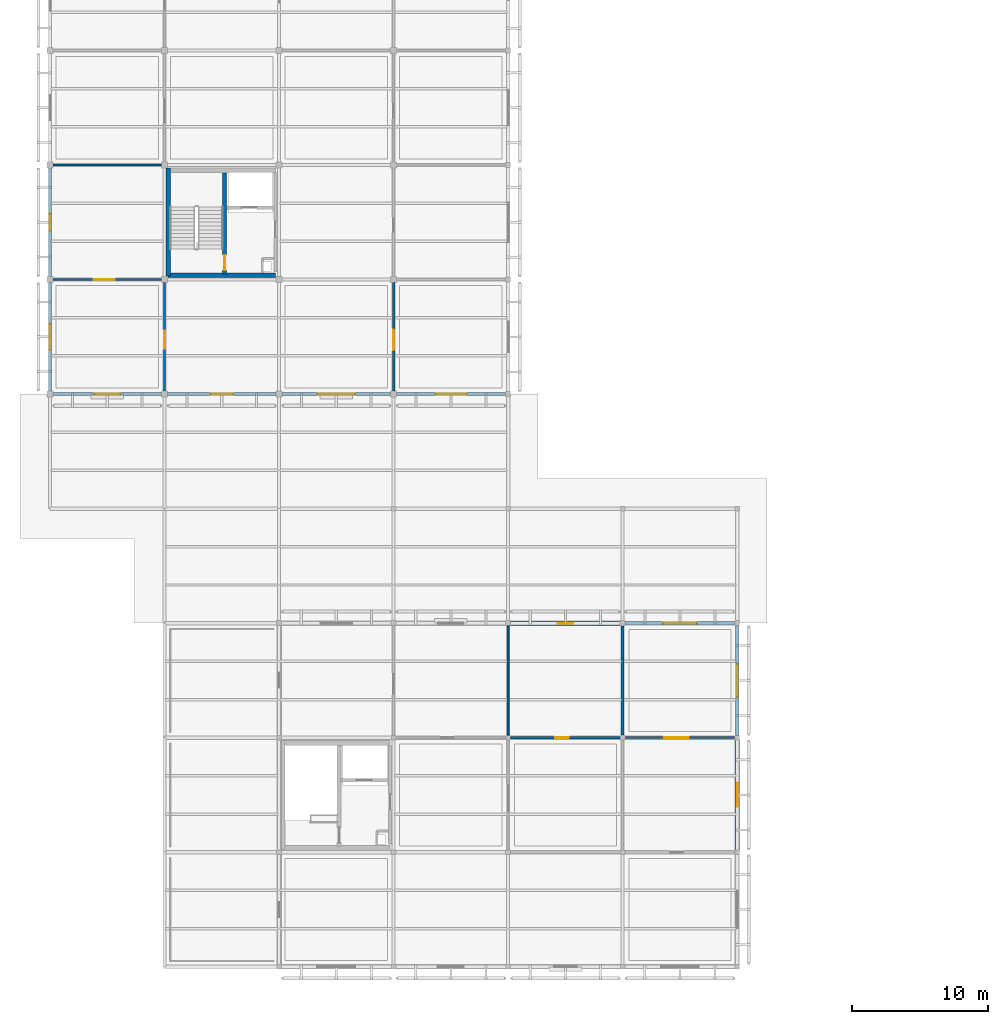
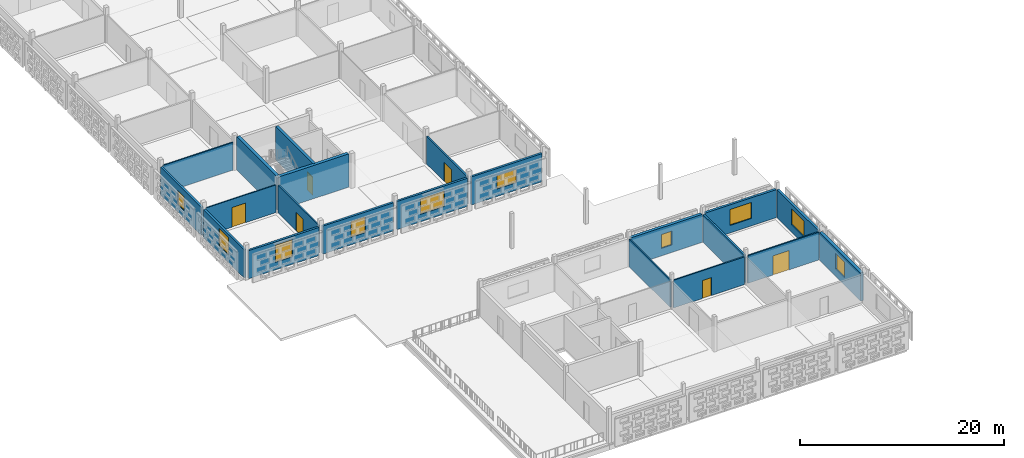
# One storey, part 70 of 103: 21 walls, 10 windows, 6 doors, 16 openings.
"""IFC4 building model written with IfcOpenShell, lengths in metres."""

from ifc_helpers import new_model, si_unit, direction, frame, frame_2d, origin, place, context, subcontext, project, spatial, rectangle, extrude, material, layer, layer_set, type_object, element, fill, save


model = new_model("IFC4")

# Units and contexts
model_context = context("Model", 3, precision=1e-05, world=origin(), true_north=direction((0.0, 1.0)))
body_context = subcontext(model_context, "Body", "Model", "MODEL_VIEW")
ifc_project = project(units=[si_unit("LENGTHUNIT", "METRE"), si_unit("AREAUNIT", "SQUARE_METRE"), si_unit("VOLUMEUNIT", "CUBIC_METRE"), si_unit("PLANEANGLEUNIT", "RADIAN"), si_unit("MASSUNIT", "GRAM", prefix="KILO")], contexts=[model_context])

# Site, building, storey
site_placement = place(None, origin())
site = spatial("IfcSite", under=ifc_project, at=site_placement, CompositionType="ELEMENT")
building_placement = place(site_placement, origin())
building = spatial("IfcBuilding", under=site, at=building_placement, Name="Varnapada Polytechnic", CompositionType="ELEMENT")
storey_placement = place(building_placement, frame((0.0, 0.0, 18.0)))
storey = spatial("IfcBuildingStorey", under=building, at=storey_placement, Name="L04", CompositionType="ELEMENT", Elevation=18.0)

# Wall, opening, door
ifc_material_1 = material(Name="Autoclaved Aerated Concrete Block AAC-600", Category="concrete")
ifc_layer_1 = layer(ifc_material_1, 0.14990234375)
ifc_layer_set_1 = layer_set([ifc_layer_1], Name="Autoclaved Aerated Concrete Block AAC-600")
wall_type_1 = type_object("IfcWallType", Name="Interior Wall IW-02", PredefinedType="PARTITIONING", material=ifc_layer_set_1)
wall_1_placement = place(storey_placement, frame((8.39990234375, 50.6298828125, 0.0), z_axis=(0.0, 0.0, 1.0), x_axis=(0.0, 1.0, 0.0)))
wall_1 = element("IfcWall", 1, at=wall_1_placement, inside=storey, type_object=wall_type_1, Name="L04 interior partition IW-L04-00-06-V", PredefinedType="PARTITIONING", context=body_context, shape_type="SweptSolid", body=[
    extrude(rectangle(XDim=7.940185546875, YDim=0.14990234375, at=frame_2d((3.97021484375, 0.0))), origin(), (0.0, 0.0, 1.0), 3.320068359375),
])
opening_1_placement = place(wall_1_placement, frame((3.10009765625, 0.0, 0.0)))
opening_1 = element("IfcOpeningElement", 2, at=opening_1_placement, cuts=wall_1, Name="Opening D-1267", PredefinedType="OPENING", context=body_context, shape_type="SweptSolid", body=[
    extrude(rectangle(XDim=1.300048828125, YDim=2.199951171875, at=frame_2d((0.64990234375, 1.10009765625))), frame((0.0, 0.0849609375, 0.0), z_axis=(0.0, -1.0, 0.0), x_axis=(1.0, 0.0, 0.0)), (0.0, 0.0, 1.0), 0.169921875),
])
ifc_material_2 = material(Name="Acoustic Laminated Timber Leaf", Category="wood")
door_type_1 = type_object("IfcDoorType", Name="Interior Door ID-11", OperationType="NOTDEFINED", PredefinedType="DOOR", material=ifc_material_2)
door_1_placement = place(opening_1_placement, origin())
door_1 = element("IfcDoor", 3, at=door_1_placement, inside=storey, type_object=door_type_1, Name="L04 interior room door D-1267", OperationType="SINGLE_SWING_RIGHT", OverallHeight=2.199951171875, OverallWidth=1.300048828125, PredefinedType="DOOR", context=body_context, shape_type="SweptSolid", body=[
    extrude(rectangle(XDim=1.300048828125, YDim=2.199951171875, at=frame_2d((0.64990234375, 1.10009765625))), frame((0.0, 0.02490234375, 0.0), z_axis=(0.0, -1.0, 0.0), x_axis=(1.0, 0.0, 0.0)), (0.0, 0.0, 1.0), 0.050048828125),
])
fill(opening_1, door_1)

wall_2_placement = place(storey_placement, frame((42.18994140625, 25.199951171875, 0.0), z_axis=(0.0, 0.0, 1.0), x_axis=(1.0, 0.0, 0.0)))
wall_2 = element("IfcWall", 4, at=wall_2_placement, inside=storey, type_object=wall_type_1, Name="L04 interior partition IW-L04-05-02-H", PredefinedType="PARTITIONING", context=body_context, shape_type="SweptSolid", body=[
    extrude(rectangle(XDim=8.02001953125, YDim=0.14990234375, at=frame_2d((4.010009765625, 0.0))), origin(), (0.0, 0.0, 1.0), 3.320068359375),
])
opening_2_placement = place(wall_2_placement, frame((2.85009765625, 0.0, 0.0)))
opening_2 = element("IfcOpeningElement", 5, at=opening_2_placement, cuts=wall_2, Name="Opening D-1294", PredefinedType="OPENING", context=body_context, shape_type="SweptSolid", body=[
    extrude(rectangle(XDim=1.800048828125, YDim=2.300048828125, at=frame_2d((0.89990234375, 1.14990234375))), frame((0.0, 0.0849609375, 0.0), z_axis=(0.0, -1.0, 0.0), x_axis=(1.0, 0.0, 0.0)), (0.0, 0.0, 1.0), 0.169921875),
])
ifc_material_3 = material(Name="Acoustic Double Timber Leaf", Category="wood")
door_type_2 = type_object("IfcDoorType", Name="Interior Door ID-04", OperationType="NOTDEFINED", PredefinedType="DOOR", material=ifc_material_3)
door_2_placement = place(opening_2_placement, origin())
door_2 = element("IfcDoor", 6, at=door_2_placement, inside=storey, type_object=door_type_2, Name="L04 interior room door D-1294", OperationType="SINGLE_SWING_LEFT", OverallHeight=2.300048828125, OverallWidth=1.800048828125, PredefinedType="DOOR", context=body_context, shape_type="SweptSolid", body=[
    extrude(rectangle(XDim=1.800048828125, YDim=2.300048828125, at=frame_2d((0.89990234375, 1.14990234375))), frame((0.0, 0.02490234375, 0.0), z_axis=(0.0, -1.0, 0.0), x_axis=(1.0, 0.0, 0.0)), (0.0, 0.0, 1.0), 0.050048828125),
])
fill(opening_2, door_2)

ifc_material_4 = material(Name="Gypsum Plasterboard Acoustic Partition")
ifc_layer_2 = layer(ifc_material_4, 0.125)
ifc_layer_set_2 = layer_set([ifc_layer_2], Name="Gypsum Plasterboard Acoustic Partition")
wall_type_2 = type_object("IfcWallType", Name="Interior Wall IW-03", PredefinedType="PARTITIONING", material=ifc_layer_set_2)
wall_3_placement = place(storey_placement, frame((0.22998046875, 58.800048828125, 0.0), z_axis=(0.0, 0.0, 1.0), x_axis=(1.0, 0.0, 0.0)))
wall_3 = element("IfcWall", 7, at=wall_3_placement, inside=storey, type_object=wall_type_2, Name="L04 interior partition IW-L04-00-06-H", PredefinedType="PARTITIONING", context=body_context, shape_type="SweptSolid", body=[
    extrude(rectangle(XDim=7.93994140625, YDim=0.125, at=frame_2d((3.969970703125, 0.0))), origin(), (0.0, 0.0, 1.0), 3.320068359375),
])
opening_3_placement = place(wall_3_placement, frame((2.97509765625, 0.0, 0.0)))
opening_3 = element("IfcOpeningElement", 8, at=opening_3_placement, cuts=wall_3, Name="Opening D-1268", PredefinedType="OPENING", context=body_context, shape_type="SweptSolid", body=[
    extrude(rectangle(XDim=1.550048828125, YDim=2.35009765625, at=frame_2d((0.77490234375, 1.175048828125))), frame((0.0, 0.072509765625, 0.0), z_axis=(0.0, -1.0, 0.0), x_axis=(1.0, 0.0, 0.0)), (0.0, 0.0, 1.0), 0.14501953125),
])
ifc_material_5 = material(Name="Galvanized Steel Z275", Category="steel")
door_type_3 = type_object("IfcDoorType", Name="Interior Door ID-12", OperationType="NOTDEFINED", PredefinedType="DOOR", material=ifc_material_5)
door_3_placement = place(opening_3_placement, frame((1.550048828125, 0.0, 0.0), z_axis=(0.0, 0.0, 1.0), x_axis=(-1.0, 0.0, 0.0)))
door_3 = element("IfcDoor", 9, at=door_3_placement, inside=storey, type_object=door_type_3, Name="L04 interior room door D-1268", OperationType="SINGLE_SWING_LEFT", OverallHeight=2.35009765625, OverallWidth=1.550048828125, PredefinedType="DOOR", context=body_context, shape_type="SweptSolid", body=[
    extrude(rectangle(XDim=1.550048828125, YDim=2.35009765625, at=frame_2d((0.77490234375, 1.175048828125))), frame((0.0, 0.02490234375, 0.0), z_axis=(0.0, -1.0, 0.0), x_axis=(1.0, 0.0, 0.0)), (0.0, 0.0, 1.0), 0.050048828125),
])
fill(opening_3, door_3)

# Walls
ifc_material_6 = material(Name="Moisture-Resistant Cement Board Partition")
ifc_layer_3 = layer(ifc_material_6, 0.139892578125)
ifc_layer_set_3 = layer_set([ifc_layer_3], Name="Moisture-Resistant Cement Board Partition")
wall_type_3 = type_object("IfcWallType", Name="Interior Wall IW-04", PredefinedType="PARTITIONING", material=ifc_layer_set_3)
wall_4_placement = place(storey_placement, frame((0.22998046875, 67.199951171875, 0.0), z_axis=(0.0, 0.0, 1.0), x_axis=(1.0, 0.0, 0.0)))
element("IfcWall", 10, at=wall_4_placement, inside=storey, type_object=wall_type_3, Name="L04 interior partition IW-L04-00-07-H", PredefinedType="PARTITIONING", context=body_context, shape_type="SweptSolid", body=[
    extrude(rectangle(XDim=7.93994140625, YDim=0.139892578125, at=frame_2d((3.969970703125, 0.0))), origin(), (0.0, 0.0, 1.0), 3.320068359375),
])
wall_5_placement = place(storey_placement, frame((33.60009765625, 25.389892578125, 0.0), z_axis=(0.0, 0.0, 1.0), x_axis=(0.0, 1.0, 0.0)))
element("IfcWall", 11, at=wall_5_placement, inside=storey, type_object=wall_type_3, Name="L04 interior partition IW-L04-03-03-V", PredefinedType="PARTITIONING", context=body_context, shape_type="SweptSolid", body=[
    extrude(rectangle(XDim=8.010009765625, YDim=0.139892578125, at=frame_2d((4.0048828125, 0.0))), origin(), (0.0, 0.0, 1.0), 3.320068359375),
])

# Wall, opening, door
ifc_material_7 = material(Name="Acoustic Double-Stud Studio Partition")
ifc_layer_4 = layer(ifc_material_7, 0.179931640625)
ifc_layer_set_4 = layer_set([ifc_layer_4], Name="Acoustic Double-Stud Studio Partition")
wall_type_4 = type_object("IfcWallType", Name="Interior Wall IW-06", PredefinedType="PARTITIONING", material=ifc_layer_set_4)
wall_6_placement = place(storey_placement, frame((25.199951171875, 50.6298828125, 0.0), z_axis=(0.0, 0.0, 1.0), x_axis=(0.0, 1.0, 0.0)))
wall_6 = element("IfcWall", 12, at=wall_6_placement, inside=storey, type_object=wall_type_4, Name="L04 interior partition IW-L04-02-06-V", PredefinedType="PARTITIONING", context=body_context, shape_type="SweptSolid", body=[
    extrude(rectangle(XDim=7.940185546875, YDim=0.179931640625, at=frame_2d((3.97021484375, 0.0))), origin(), (0.0, 0.0, 1.0), 3.320068359375),
])
opening_4_placement = place(wall_6_placement, frame((3.0, 0.0, 0.0)))
opening_4 = element("IfcOpeningElement", 13, at=opening_4_placement, cuts=wall_6, Name="Opening D-1280", PredefinedType="OPENING", context=body_context, shape_type="SweptSolid", body=[
    extrude(rectangle(XDim=1.5, YDim=2.300048828125, at=frame_2d((0.75, 1.14990234375))), frame((0.0, 0.099853515625, 0.0), z_axis=(0.0, -1.0, 0.0), x_axis=(1.0, 0.0, 0.0)), (0.0, 0.0, 1.0), 0.199951171875),
])
door_type_4 = type_object("IfcDoorType", Name="Interior Door ID-07", OperationType="NOTDEFINED", PredefinedType="DOOR", material=ifc_material_5)
door_4_placement = place(opening_4_placement, frame((1.5, 0.0, 0.0), z_axis=(0.0, 0.0, 1.0), x_axis=(-1.0, 0.0, 0.0)))
door_4 = element("IfcDoor", 14, at=door_4_placement, inside=storey, type_object=door_type_4, Name="L04 interior room door D-1280", OperationType="SINGLE_SWING_LEFT", OverallHeight=2.300048828125, OverallWidth=1.5, PredefinedType="DOOR", context=body_context, shape_type="SweptSolid", body=[
    extrude(rectangle(XDim=1.5, YDim=2.300048828125, at=frame_2d((0.75, 1.14990234375))), frame((0.0, 0.02490234375, 0.0), z_axis=(0.0, -1.0, 0.0), x_axis=(1.0, 0.0, 0.0)), (0.0, 0.0, 1.0), 0.050048828125),
])
fill(opening_4, door_4)

ifc_material_8 = material(Name="Perforated Timber-Lined Seminar Wall", Category="wood")
ifc_layer_5 = layer(ifc_material_8, 0.155029296875)
ifc_layer_set_5 = layer_set([ifc_layer_5], Name="Perforated Timber-Lined Seminar Wall")
wall_type_5 = type_object("IfcWallType", Name="Interior Wall IW-15", PredefinedType="PARTITIONING", material=ifc_layer_set_5)
wall_7_placement = place(storey_placement, frame((33.7900390625, 25.199951171875, 0.0), z_axis=(0.0, 0.0, 1.0), x_axis=(1.0, 0.0, 0.0)))
wall_7 = element("IfcWall", 15, at=wall_7_placement, inside=storey, type_object=wall_type_5, Name="L04 interior partition IW-L04-04-02-H", PredefinedType="PARTITIONING", context=body_context, shape_type="SweptSolid", body=[
    extrude(rectangle(XDim=8.02001953125, YDim=0.155029296875, at=frame_2d((4.010009765625, 0.0))), origin(), (0.0, 0.0, 1.0), 3.320068359375),
])
opening_5_placement = place(wall_7_placement, frame((3.25, 0.0, 0.0)))
opening_5 = element("IfcOpeningElement", 16, at=opening_5_placement, cuts=wall_7, Name="Opening D-1292", PredefinedType="OPENING", context=body_context, shape_type="SweptSolid", body=[
    extrude(rectangle(XDim=1.0, YDim=2.14990234375, at=frame_2d((0.5, 1.074951171875))), frame((0.0, 0.08740234375, 0.0), z_axis=(0.0, -1.0, 0.0), x_axis=(1.0, 0.0, 0.0)), (0.0, 0.0, 1.0), 0.175048828125),
])
ifc_material_9 = material(Name="Solid Teak Hardwood Timber", Category="wood")
door_type_5 = type_object("IfcDoorType", Name="Interior Door ID-02", OperationType="NOTDEFINED", PredefinedType="DOOR", material=ifc_material_9)
door_5_placement = place(opening_5_placement, frame((1.0, 0.0, 0.0), z_axis=(0.0, 0.0, 1.0), x_axis=(-1.0, 0.0, 0.0)))
door_5 = element("IfcDoor", 17, at=door_5_placement, inside=storey, type_object=door_type_5, Name="L04 interior room door D-1292", OperationType="SINGLE_SWING_LEFT", OverallHeight=2.14990234375, OverallWidth=1.0, PredefinedType="DOOR", context=body_context, shape_type="SweptSolid", body=[
    extrude(rectangle(XDim=1.0, YDim=2.14990234375, at=frame_2d((0.5, 1.074951171875))), frame((0.0, 0.02490234375, 0.0), z_axis=(0.0, -1.0, 0.0), x_axis=(1.0, 0.0, 0.0)), (0.0, 0.0, 1.0), 0.050048828125),
])
fill(opening_5, door_5)

# Walls
ifc_material_10 = material(Name="Heavy Masonry Workshop Partition", Category="masonry")
ifc_layer_6 = layer(ifc_material_10, 0.2099609375)
ifc_layer_set_6 = layer_set([ifc_layer_6], Name="Heavy Masonry Workshop Partition")
wall_type_6 = type_object("IfcWallType", Name="Interior Wall IW-16", PredefinedType="PARTITIONING", material=ifc_layer_set_6)
wall_8_placement = place(storey_placement, frame((42.0, 25.389892578125, 0.0), z_axis=(0.0, 0.0, 1.0), x_axis=(0.0, 1.0, 0.0)))
element("IfcWall", 18, at=wall_8_placement, inside=storey, type_object=wall_type_6, Name="L04 interior partition IW-L04-04-03-V", PredefinedType="PARTITIONING", context=body_context, shape_type="SweptSolid", body=[
    extrude(rectangle(XDim=8.010009765625, YDim=0.2099609375, at=frame_2d((4.0048828125, 0.0))), origin(), (0.0, 0.0, 1.0), 3.320068359375),
])
ifc_material_11 = material(Name="Concrete C40/50", Category="concrete")
ifc_layer_7 = layer(ifc_material_11, 0.35009765625)
ifc_layer_set_7 = layer_set([ifc_layer_7], Name="Concrete C40/50")
wall_type_7 = type_object("IfcWallType", Name="Interior Wall SW-01", PredefinedType="SHEAR", material=ifc_layer_set_7)
wall_9_placement = place(storey_placement, frame((8.6650390625, 59.050048828125, 0.0), z_axis=(0.0, 0.0, 1.0), x_axis=(0.0, 1.0, 0.0)))
element("IfcWall", 19, at=wall_9_placement, inside=storey, type_object=wall_type_7, Name="L04 C2 stair west shear wall", PredefinedType="SHEAR", context=body_context, shape_type="SweptSolid", body=[
    extrude(rectangle(XDim=7.93994140625, YDim=0.35009765625, at=frame_2d((3.969970703125, 0.0))), origin(), (0.0, 0.0, 1.0), 3.97998046875),
])
wall_10_placement = place(storey_placement, frame((16.5400390625, 59.1201171875, 0.0), z_axis=(0.0, 0.0, 1.0), x_axis=(-1.0, 0.0, 0.0)))
element("IfcWall", 20, at=wall_10_placement, inside=storey, type_object=wall_type_7, Name="L04 C2 core south shear wall", PredefinedType="SHEAR", context=body_context, shape_type="SweptSolid", body=[
    extrude(rectangle(XDim=7.875, YDim=0.35009765625, at=frame_2d((3.9375, 0.0))), origin(), (0.0, 0.0, 1.0), 3.97998046875),
])

# Wall, opening, door
ifc_layer_8 = layer(ifc_material_11, 0.300048828125)
ifc_layer_set_8 = layer_set([ifc_layer_8], Name="Concrete C40/50")
wall_type_8 = type_object("IfcWallType", Name="Interior Wall SW-02", PredefinedType="SHEAR", material=ifc_layer_set_8)
wall_11_placement = place(storey_placement, frame((12.81005859375, 59.219970703125, 0.0), z_axis=(0.0, 0.0, 1.0), x_axis=(0.0, 1.0, 0.0)))
wall_11 = element("IfcWall", 21, at=wall_11_placement, inside=storey, type_object=wall_type_8, Name="L04 C2 stair-lobby dividing shear wall", PredefinedType="SHEAR", context=body_context, shape_type="SweptSolid", body=[
    extrude(rectangle(XDim=7.380126953125, YDim=0.300048828125, at=frame_2d((3.68994140625, 0.0))), origin(), (0.0, 0.0, 1.0), 3.97998046875),
])
opening_6_placement = place(wall_11_placement, frame((0.280029296875, 0.0, 0.0)))
opening_6 = element("IfcOpeningElement", 22, at=opening_6_placement, cuts=wall_11, Name="Opening D-1260", PredefinedType="OPENING", context=body_context, shape_type="SweptSolid", body=[
    extrude(rectangle(XDim=1.10009765625, YDim=2.14990234375, at=frame_2d((0.550048828125, 1.074951171875))), frame((0.0, 0.159912109375, 0.0), z_axis=(0.0, -1.0, 0.0), x_axis=(1.0, 0.0, 0.0)), (0.0, 0.0, 1.0), 0.320068359375),
])
door_type_6 = type_object("IfcDoorType", Name="Interior Door ID-01", OperationType="NOTDEFINED", PredefinedType="DOOR", material=ifc_material_5)
door_6_placement = place(opening_6_placement, origin())
door_6 = element("IfcDoor", 23, at=door_6_placement, inside=storey, type_object=door_type_6, Name="L04 C2 exit stair door D-1260", OperationType="SINGLE_SWING_LEFT", OverallHeight=2.14990234375, OverallWidth=1.10009765625, PredefinedType="DOOR", context=body_context, shape_type="SweptSolid", body=[
    extrude(rectangle(XDim=1.10009765625, YDim=2.14990234375, at=frame_2d((0.550048828125, 1.074951171875))), frame((0.0, 0.02490234375, 0.0), z_axis=(0.0, -1.0, 0.0), x_axis=(1.0, 0.0, 0.0)), (0.0, 0.0, 1.0), 0.050048828125),
])
fill(opening_6, door_6)

# Wall, opening, window
ifc_material_12 = material(Name="Precast concrete C40/50", Category="concrete")
ifc_layer_9 = layer(ifc_material_12, 0.260009765625)
ifc_layer_set_9 = layer_set([ifc_layer_9], Name="Precast concrete C40/50")
wall_type_9 = type_object("IfcWallType", Name="Wall EW-03", PredefinedType="SOLIDWALL", material=ifc_layer_set_9)
wall_12_placement = place(storey_placement, frame((42.179931640625, 33.60009765625, 0.0), z_axis=(0.0, 0.0, 1.0), x_axis=(1.0, 0.0, 0.0)))
wall_12 = element("IfcWall", 24, at=wall_12_placement, inside=storey, type_object=wall_type_9, Name="L04 exterior wall EW-03 (39)", PredefinedType="SOLIDWALL", context=body_context, shape_type="SweptSolid", body=[
    extrude(rectangle(XDim=8.0400390625, YDim=0.260009765625, at=frame_2d((4.02001953125, 0.0))), origin(), (0.0, 0.0, 1.0), 3.360107421875),
])
opening_7_placement = place(wall_12_placement, frame((2.794921875, 0.0, 0.89990234375)))
opening_7 = element("IfcOpeningElement", 25, at=opening_7_placement, cuts=wall_12, Name="Opening WN-34", PredefinedType="OPENING", context=body_context, shape_type="SweptSolid", body=[
    extrude(rectangle(XDim=2.449951171875, YDim=1.89990234375, at=frame_2d((1.22509765625, 0.949951171875))), frame((0.0, 0.139892578125, 0.0), z_axis=(0.0, -1.0, 0.0), x_axis=(1.0, 0.0, 0.0)), (0.0, 0.0, 1.0), 0.280029296875),
])
ifc_material_13 = material(Name="Double low-E laminated glass", Category="glass")
window_type_1 = type_object("IfcWindowType", Name="Window WN-34", PartitioningType="SINGLE_PANEL", PredefinedType="WINDOW", material=ifc_material_13)
window_1_placement = place(opening_7_placement, origin())
window_1 = element("IfcWindow", 26, at=window_1_placement, inside=storey, type_object=window_type_1, Name="L04 window WN-34 (213)", OverallHeight=1.89990234375, OverallWidth=2.449951171875, PartitioningType="SINGLE_PANEL", PredefinedType="WINDOW", context=body_context, shape_type="SweptSolid", body=[
    extrude(rectangle(XDim=2.449951171875, YDim=1.89990234375, at=frame_2d((1.22509765625, 0.949951171875))), frame((0.0, 0.030029296875, 0.0), z_axis=(0.0, -1.0, 0.0), x_axis=(1.0, 0.0, 0.0)), (0.0, 0.0, 1.0), 0.06005859375),
])
fill(opening_7, window_1)

wall_13_placement = place(storey_placement, frame((50.39990234375, 33.419921875, 0.0), z_axis=(0.0, 0.0, 1.0), x_axis=(0.0, -1.0, 0.0)))
wall_13 = element("IfcWall", 27, at=wall_13_placement, inside=storey, type_object=wall_type_9, Name="L04 exterior wall EW-03 (40)", PredefinedType="SOLIDWALL", context=body_context, shape_type="SweptSolid", body=[
    extrude(rectangle(XDim=8.0498046875, YDim=0.260009765625, at=frame_2d((4.02490234375, 0.0))), origin(), (0.0, 0.0, 1.0), 3.360107421875),
])
opening_8_placement = place(wall_13_placement, frame((2.800048828125, 0.0, 0.89990234375)))
opening_8 = element("IfcOpeningElement", 28, at=opening_8_placement, cuts=wall_13, Name="Opening WN-34", PredefinedType="OPENING", context=body_context, shape_type="SweptSolid", body=[
    extrude(rectangle(XDim=2.449951171875, YDim=1.89990234375, at=frame_2d((1.22509765625, 0.949951171875))), frame((0.0, 0.139892578125, 0.0), z_axis=(0.0, -1.0, 0.0), x_axis=(1.0, 0.0, 0.0)), (0.0, 0.0, 1.0), 0.280029296875),
])
window_2_placement = place(opening_8_placement, origin())
window_2 = element("IfcWindow", 29, at=window_2_placement, inside=storey, type_object=window_type_1, Name="L04 window WN-34 (214)", OverallHeight=1.89990234375, OverallWidth=2.449951171875, PartitioningType="SINGLE_PANEL", PredefinedType="WINDOW", context=body_context, shape_type="SweptSolid", body=[
    extrude(rectangle(XDim=2.449951171875, YDim=1.89990234375, at=frame_2d((1.22509765625, 0.949951171875))), frame((0.0, 0.030029296875, 0.0), z_axis=(0.0, -1.0, 0.0), x_axis=(1.0, 0.0, 0.0)), (0.0, 0.0, 1.0), 0.06005859375),
])
fill(opening_8, window_2)

ifc_layer_10 = layer(ifc_material_12, 0.320068359375)
ifc_layer_set_10 = layer_set([ifc_layer_10], Name="Precast concrete C40/50")
wall_type_10 = type_object("IfcWallType", Name="Wall EW-04", PredefinedType="SOLIDWALL", material=ifc_layer_set_10)
wall_14_placement = place(storey_placement, frame((33.780029296875, 33.60009765625, 0.0), z_axis=(0.0, 0.0, 1.0), x_axis=(1.0, 0.0, 0.0)))
wall_14 = element("IfcWall", 30, at=wall_14_placement, inside=storey, type_object=wall_type_10, Name="L04 exterior wall EW-04 (35)", PredefinedType="SOLIDWALL", context=body_context, shape_type="SweptSolid", body=[
    extrude(rectangle(XDim=8.0400390625, YDim=0.320068359375, at=frame_2d((4.02001953125, 0.0))), origin(), (0.0, 0.0, 1.0), 3.360107421875),
])
opening_9_placement = place(wall_14_placement, frame((3.445068359375, 0.0, 0.89990234375)))
opening_9 = element("IfcOpeningElement", 31, at=opening_9_placement, cuts=wall_14, Name="Opening WN-29", PredefinedType="OPENING", context=body_context, shape_type="SweptSolid", body=[
    extrude(rectangle(XDim=1.14990234375, YDim=1.64990234375, at=frame_2d((0.574951171875, 0.824951171875))), frame((0.0, 0.169921875, 0.0), z_axis=(0.0, -1.0, 0.0), x_axis=(1.0, 0.0, 0.0)), (0.0, 0.0, 1.0), 0.340087890625),
])
window_type_2 = type_object("IfcWindowType", Name="Window WN-29", PartitioningType="SINGLE_PANEL", PredefinedType="WINDOW", material=ifc_material_13)
window_3_placement = place(opening_9_placement, origin())
window_3 = element("IfcWindow", 32, at=window_3_placement, inside=storey, type_object=window_type_2, Name="L04 window WN-29 (209)", OverallHeight=1.64990234375, OverallWidth=1.14990234375, PartitioningType="SINGLE_PANEL", PredefinedType="WINDOW", context=body_context, shape_type="SweptSolid", body=[
    extrude(rectangle(XDim=1.14990234375, YDim=1.64990234375, at=frame_2d((0.574951171875, 0.824951171875))), frame((0.0, 0.030029296875, 0.0), z_axis=(0.0, -1.0, 0.0), x_axis=(1.0, 0.0, 0.0)), (0.0, 0.0, 1.0), 0.06005859375),
])
fill(opening_9, window_3)

wall_15_placement = place(storey_placement, frame((50.39990234375, 25.030029296875, 0.0), z_axis=(0.0, 0.0, 1.0), x_axis=(0.0, -1.0, 0.0)))
wall_15 = element("IfcWall", 33, at=wall_15_placement, inside=storey, type_object=wall_type_10, Name="L04 exterior wall EW-04 (38)", PredefinedType="SOLIDWALL", context=body_context, shape_type="SweptSolid", body=[
    extrude(rectangle(XDim=8.050048828125, YDim=0.320068359375, at=frame_2d((4.02490234375, 0.0))), origin(), (0.0, 0.0, 1.0), 3.360107421875),
])
opening_10_placement = place(wall_15_placement, frame((3.14990234375, 0.0, 0.89990234375)))
opening_10 = element("IfcOpeningElement", 34, at=opening_10_placement, cuts=wall_15, Name="Opening WN-31", PredefinedType="OPENING", context=body_context, shape_type="SweptSolid", body=[
    extrude(rectangle(XDim=1.75, YDim=1.85009765625, at=frame_2d((0.875, 0.925048828125))), frame((0.0, 0.169921875, 0.0), z_axis=(0.0, -1.0, 0.0), x_axis=(1.0, 0.0, 0.0)), (0.0, 0.0, 1.0), 0.340087890625),
])
window_type_3 = type_object("IfcWindowType", Name="Window WN-31", PartitioningType="SINGLE_PANEL", PredefinedType="WINDOW", material=ifc_material_13)
window_4_placement = place(opening_10_placement, origin())
window_4 = element("IfcWindow", 35, at=window_4_placement, inside=storey, type_object=window_type_3, Name="L04 window WN-31 (212)", OverallHeight=1.85009765625, OverallWidth=1.75, PartitioningType="SINGLE_PANEL", PredefinedType="WINDOW", context=body_context, shape_type="SweptSolid", body=[
    extrude(rectangle(XDim=1.75, YDim=1.85009765625, at=frame_2d((0.875, 0.925048828125))), frame((0.0, 0.030029296875, 0.0), z_axis=(0.0, -1.0, 0.0), x_axis=(1.0, 0.0, 0.0)), (0.0, 0.0, 1.0), 0.06005859375),
])
fill(opening_10, window_4)

ifc_layer_11 = layer(ifc_material_12, 0.239990234375)
ifc_layer_set_11 = layer_set([ifc_layer_11], Name="Precast concrete C40/50")
wall_type_11 = type_object("IfcWallType", Name="Wall EW-06", PredefinedType="SOLIDWALL", material=ifc_layer_set_11)
wall_16_placement = place(storey_placement, frame((8.18994140625, 50.39990234375, 0.0), z_axis=(0.0, 0.0, 1.0), x_axis=(-1.0, 0.0, 0.0)))
wall_16 = element("IfcWall", 36, at=wall_16_placement, inside=storey, type_object=wall_type_11, Name="L04 exterior wall EW-06 (1)", PredefinedType="SOLIDWALL", context=body_context, shape_type="SweptSolid", body=[
    extrude(rectangle(XDim=7.97998046875, YDim=0.239990234375, at=frame_2d((3.989990234375, 0.0))), origin(), (0.0, 0.0, 1.0), 3.360107421875),
])
opening_11_placement = place(wall_16_placement, frame((3.0400390625, 0.0, 0.89990234375)))
opening_11 = element("IfcOpeningElement", 37, at=opening_11_placement, cuts=wall_16, Name="Opening WN-18", PredefinedType="OPENING", context=body_context, shape_type="SweptSolid", body=[
    extrude(rectangle(XDim=1.89990234375, YDim=2.050048828125, at=frame_2d((0.949951171875, 1.02490234375))), frame((0.0, 0.1298828125, 0.0), z_axis=(0.0, -1.0, 0.0), x_axis=(1.0, 0.0, 0.0)), (0.0, 0.0, 1.0), 0.260009765625),
])
window_type_4 = type_object("IfcWindowType", Name="Window WN-18", PartitioningType="SINGLE_PANEL", PredefinedType="WINDOW", material=ifc_material_13)
window_5_placement = place(opening_11_placement, origin())
window_5 = element("IfcWindow", 38, at=window_5_placement, inside=storey, type_object=window_type_4, Name="L04 window WN-18 (178)", OverallHeight=2.050048828125, OverallWidth=1.89990234375, PartitioningType="SINGLE_PANEL", PredefinedType="WINDOW", context=body_context, shape_type="SweptSolid", body=[
    extrude(rectangle(XDim=1.89990234375, YDim=2.050048828125, at=frame_2d((0.949951171875, 1.02490234375))), frame((0.0, 0.030029296875, 0.0), z_axis=(0.0, -1.0, 0.0), x_axis=(1.0, 0.0, 0.0)), (0.0, 0.0, 1.0), 0.06005859375),
])
fill(opening_11, window_5)

wall_17_placement = place(storey_placement, frame((0.0, 50.610107421875, 0.0), z_axis=(0.0, 0.0, 1.0), x_axis=(0.0, 1.0, 0.0)))
wall_17 = element("IfcWall", 39, at=wall_17_placement, inside=storey, type_object=wall_type_11, Name="L04 exterior wall EW-06 (2)", PredefinedType="SOLIDWALL", context=body_context, shape_type="SweptSolid", body=[
    extrude(rectangle(XDim=7.97998046875, YDim=0.239990234375, at=frame_2d((3.989990234375, 0.0))), origin(), (0.0, 0.0, 1.0), 3.360107421875),
])
opening_12_placement = place(wall_17_placement, frame((3.0400390625, 0.0, 0.89990234375)))
opening_12 = element("IfcOpeningElement", 40, at=opening_12_placement, cuts=wall_17, Name="Opening WN-18", PredefinedType="OPENING", context=body_context, shape_type="SweptSolid", body=[
    extrude(rectangle(XDim=1.89990234375, YDim=2.050048828125, at=frame_2d((0.949951171875, 1.02490234375))), frame((0.0, 0.1298828125, 0.0), z_axis=(0.0, -1.0, 0.0), x_axis=(1.0, 0.0, 0.0)), (0.0, 0.0, 1.0), 0.260009765625),
])
window_6_placement = place(opening_12_placement, origin())
window_6 = element("IfcWindow", 41, at=window_6_placement, inside=storey, type_object=window_type_4, Name="L04 window WN-18 (179)", OverallHeight=2.050048828125, OverallWidth=1.89990234375, PartitioningType="SINGLE_PANEL", PredefinedType="WINDOW", context=body_context, shape_type="SweptSolid", body=[
    extrude(rectangle(XDim=1.89990234375, YDim=2.050048828125, at=frame_2d((0.949951171875, 1.02490234375))), frame((0.0, 0.030029296875, 0.0), z_axis=(0.0, -1.0, 0.0), x_axis=(1.0, 0.0, 0.0)), (0.0, 0.0, 1.0), 0.06005859375),
])
fill(opening_12, window_6)

wall_18_placement = place(storey_placement, frame((0.0, 59.010009765625, 0.0), z_axis=(0.0, 0.0, 1.0), x_axis=(0.0, 1.0, 0.0)))
wall_18 = element("IfcWall", 42, at=wall_18_placement, inside=storey, type_object=wall_type_11, Name="L04 exterior wall EW-06 (3)", PredefinedType="SOLIDWALL", context=body_context, shape_type="SweptSolid", body=[
    extrude(rectangle(XDim=7.97998046875, YDim=0.239990234375, at=frame_2d((3.989990234375, 0.0))), origin(), (0.0, 0.0, 1.0), 3.360107421875),
])
opening_13_placement = place(wall_18_placement, frame((3.364990234375, 0.0, 0.89990234375)))
opening_13 = element("IfcOpeningElement", 43, at=opening_13_placement, cuts=wall_18, Name="Opening WN-21", PredefinedType="OPENING", context=body_context, shape_type="SweptSolid", body=[
    extrude(rectangle(XDim=1.25, YDim=1.699951171875, at=frame_2d((0.625, 0.85009765625))), frame((0.0, 0.1298828125, 0.0), z_axis=(0.0, -1.0, 0.0), x_axis=(1.0, 0.0, 0.0)), (0.0, 0.0, 1.0), 0.260009765625),
])
window_type_5 = type_object("IfcWindowType", Name="Window WN-21", PartitioningType="SINGLE_PANEL", PredefinedType="WINDOW", material=ifc_material_13)
window_7_placement = place(opening_13_placement, origin())
window_7 = element("IfcWindow", 44, at=window_7_placement, inside=storey, type_object=window_type_5, Name="L04 window WN-21 (180)", OverallHeight=1.699951171875, OverallWidth=1.25, PartitioningType="SINGLE_PANEL", PredefinedType="WINDOW", context=body_context, shape_type="SweptSolid", body=[
    extrude(rectangle(XDim=1.25, YDim=1.699951171875, at=frame_2d((0.625, 0.85009765625))), frame((0.0, 0.030029296875, 0.0), z_axis=(0.0, -1.0, 0.0), x_axis=(1.0, 0.0, 0.0)), (0.0, 0.0, 1.0), 0.06005859375),
])
fill(opening_13, window_7)

wall_19_placement = place(storey_placement, frame((16.590087890625, 50.39990234375, 0.0), z_axis=(0.0, 0.0, 1.0), x_axis=(-1.0, 0.0, 0.0)))
wall_19 = element("IfcWall", 45, at=wall_19_placement, inside=storey, type_object=wall_type_11, Name="L04 exterior wall EW-06 (12)", PredefinedType="SOLIDWALL", context=body_context, shape_type="SweptSolid", body=[
    extrude(rectangle(XDim=7.97998046875, YDim=0.239990234375, at=frame_2d((3.989990234375, 0.0))), origin(), (0.0, 0.0, 1.0), 3.360107421875),
])
opening_14_placement = place(wall_19_placement, frame((3.1650390625, 0.0, 0.89990234375)))
opening_14 = element("IfcOpeningElement", 46, at=opening_14_placement, cuts=wall_19, Name="Opening WN-23", PredefinedType="OPENING", context=body_context, shape_type="SweptSolid", body=[
    extrude(rectangle(XDim=1.64990234375, YDim=1.89990234375, at=frame_2d((0.824951171875, 0.949951171875))), frame((0.0, 0.1298828125, 0.0), z_axis=(0.0, -1.0, 0.0), x_axis=(1.0, 0.0, 0.0)), (0.0, 0.0, 1.0), 0.260009765625),
])
window_type_6 = type_object("IfcWindowType", Name="Window WN-23", PartitioningType="SINGLE_PANEL", PredefinedType="WINDOW", material=ifc_material_13)
window_8_placement = place(opening_14_placement, origin())
window_8 = element("IfcWindow", 47, at=window_8_placement, inside=storey, type_object=window_type_6, Name="L04 window WN-23 (189)", OverallHeight=1.89990234375, OverallWidth=1.64990234375, PartitioningType="SINGLE_PANEL", PredefinedType="WINDOW", context=body_context, shape_type="SweptSolid", body=[
    extrude(rectangle(XDim=1.64990234375, YDim=1.89990234375, at=frame_2d((0.824951171875, 0.949951171875))), frame((0.0, 0.030029296875, 0.0), z_axis=(0.0, -1.0, 0.0), x_axis=(1.0, 0.0, 0.0)), (0.0, 0.0, 1.0), 0.06005859375),
])
fill(opening_14, window_8)

wall_20_placement = place(storey_placement, frame((24.989990234375, 50.39990234375, 0.0), z_axis=(0.0, 0.0, 1.0), x_axis=(-1.0, 0.0, 0.0)))
wall_20 = element("IfcWall", 48, at=wall_20_placement, inside=storey, type_object=wall_type_11, Name="L04 exterior wall EW-06 (19)", PredefinedType="SOLIDWALL", context=body_context, shape_type="SweptSolid", body=[
    extrude(rectangle(XDim=7.97998046875, YDim=0.239990234375, at=frame_2d((3.989990234375, 0.0))), origin(), (0.0, 0.0, 1.0), 3.360107421875),
])
opening_15_placement = place(wall_20_placement, frame((2.614990234375, 0.0, 0.89990234375)))
opening_15 = element("IfcOpeningElement", 49, at=opening_15_placement, cuts=wall_20, Name="Opening WN-28", PredefinedType="OPENING", context=body_context, shape_type="SweptSolid", body=[
    extrude(rectangle(XDim=2.75, YDim=1.85009765625, at=frame_2d((1.375, 0.925048828125))), frame((0.0, 0.1298828125, 0.0), z_axis=(0.0, -1.0, 0.0), x_axis=(1.0, 0.0, 0.0)), (0.0, 0.0, 1.0), 0.260009765625),
])
window_type_7 = type_object("IfcWindowType", Name="Window WN-28", PartitioningType="SINGLE_PANEL", PredefinedType="WINDOW", material=ifc_material_13)
window_9_placement = place(opening_15_placement, origin())
window_9 = element("IfcWindow", 50, at=window_9_placement, inside=storey, type_object=window_type_7, Name="L04 window WN-28 (193)", OverallHeight=1.85009765625, OverallWidth=2.75, PartitioningType="SINGLE_PANEL", PredefinedType="WINDOW", context=body_context, shape_type="SweptSolid", body=[
    extrude(rectangle(XDim=2.75, YDim=1.85009765625, at=frame_2d((1.375, 0.925048828125))), frame((0.0, 0.030029296875, 0.0), z_axis=(0.0, -1.0, 0.0), x_axis=(1.0, 0.0, 0.0)), (0.0, 0.0, 1.0), 0.06005859375),
])
fill(opening_15, window_9)

wall_21_placement = place(storey_placement, frame((33.419921875, 50.39990234375, 0.0), z_axis=(0.0, 0.0, 1.0), x_axis=(-1.0, 0.0, 0.0)))
wall_21 = element("IfcWall", 51, at=wall_21_placement, inside=storey, type_object=wall_type_11, Name="L04 exterior wall EW-06 (23)", PredefinedType="SOLIDWALL", context=body_context, shape_type="SweptSolid", body=[
    extrude(rectangle(XDim=8.010009765625, YDim=0.239990234375, at=frame_2d((4.0048828125, 0.0))), origin(), (0.0, 0.0, 1.0), 3.360107421875),
])
opening_16_placement = place(wall_21_placement, frame((2.8798828125, 0.0, 0.89990234375)))
opening_16 = element("IfcOpeningElement", 52, at=opening_16_placement, cuts=wall_21, Name="Opening WN-33", PredefinedType="OPENING", context=body_context, shape_type="SweptSolid", body=[
    extrude(rectangle(XDim=2.25, YDim=1.60009765625, at=frame_2d((1.125, 0.800048828125))), frame((0.0, 0.1298828125, 0.0), z_axis=(0.0, -1.0, 0.0), x_axis=(1.0, 0.0, 0.0)), (0.0, 0.0, 1.0), 0.260009765625),
])
window_type_8 = type_object("IfcWindowType", Name="Window WN-33", PartitioningType="SINGLE_PANEL", PredefinedType="WINDOW", material=ifc_material_13)
window_10_placement = place(opening_16_placement, origin())
window_10 = element("IfcWindow", 53, at=window_10_placement, inside=storey, type_object=window_type_8, Name="L04 window WN-33 (197)", OverallHeight=1.60009765625, OverallWidth=2.25, PartitioningType="SINGLE_PANEL", PredefinedType="WINDOW", context=body_context, shape_type="SweptSolid", body=[
    extrude(rectangle(XDim=2.25, YDim=1.60009765625, at=frame_2d((1.125, 0.800048828125))), frame((0.0, 0.030029296875, 0.0), z_axis=(0.0, -1.0, 0.0), x_axis=(1.0, 0.0, 0.0)), (0.0, 0.0, 1.0), 0.06005859375),
])
fill(opening_16, window_10)

save(model, "model.ifc")
